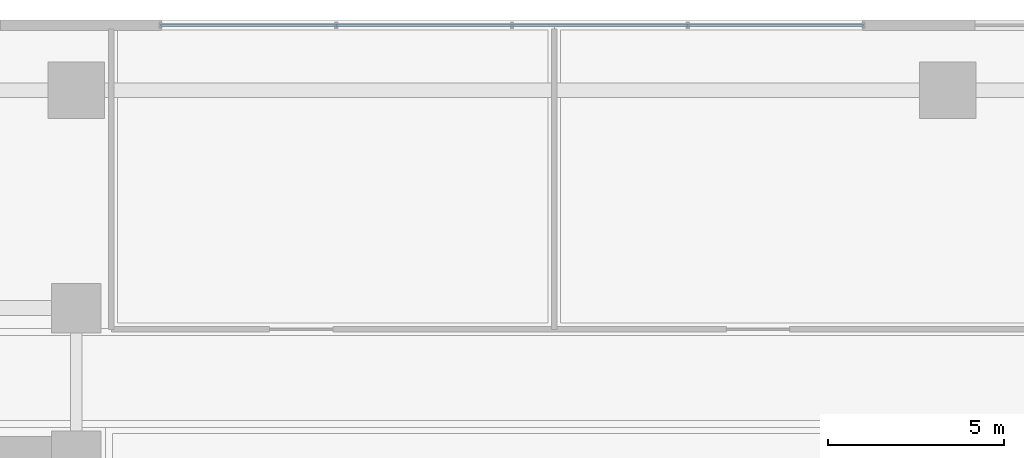
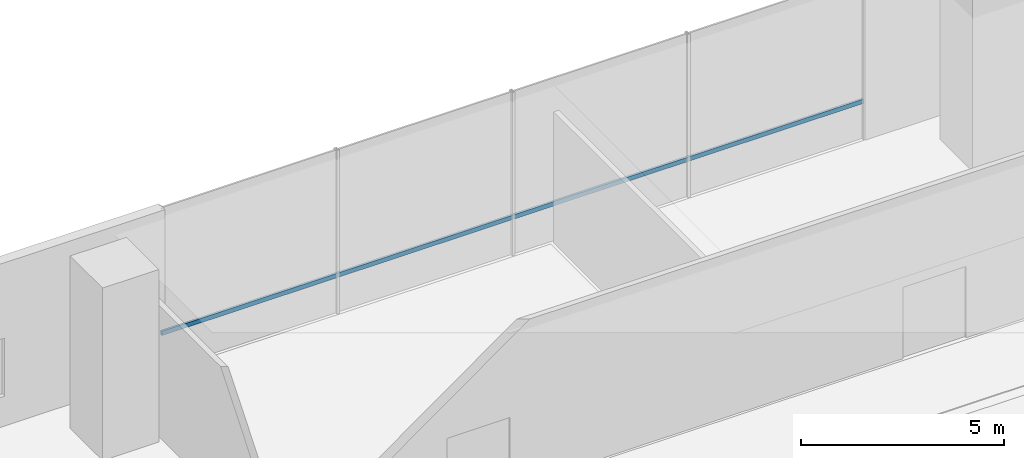
# One storey, part 17 of 39: 1 member, 1 element without a shape of its own.
"""IFC4 building model written with IfcOpenShell, lengths in metres."""

from ifc_helpers import new_model, si_unit, direction, frame, origin, origin_2d, place, context, subcontext, project, spatial, hollow_rectangle, extrude, source, transform, mapped, material, material_profile, profile_set, type_object, element, aggregate, save


model = new_model("IFC4")

# Units and contexts
model_context = context("Model", 3, precision=1e-05, world=origin(), true_north=direction((0.0, 1.0)))
body_context = subcontext(model_context, "Body", "Model", "MODEL_VIEW")
ifc_project = project(units=[si_unit("LENGTHUNIT", "METRE"), si_unit("AREAUNIT", "SQUARE_METRE"), si_unit("VOLUMEUNIT", "CUBIC_METRE"), si_unit("PLANEANGLEUNIT", "RADIAN"), si_unit("MASSUNIT", "GRAM", prefix="KILO")], contexts=[model_context])

# Site, building, storey
site_placement = place(None, origin())
site = spatial("IfcSite", under=ifc_project, at=site_placement, CompositionType="ELEMENT")
building_placement = place(site_placement, origin())
building = spatial("IfcBuilding", under=site, at=building_placement, Name="Valdorenza Pilgrim Sanctuary Tower", CompositionType="ELEMENT")
storey_placement = place(building_placement, frame((0.0, 0.0, 10.39990234375)))
storey = spatial("IfcBuildingStorey", under=building, at=storey_placement, Name="L02", CompositionType="ELEMENT", Elevation=10.39990234375)

# Curtain wall, member
ifc_material_1 = material(Name="Curtain-wall IGU glazing", Category="glass")
curtain_wall_type = type_object("IfcCurtainWallType", Name="CW-SYS-01", PredefinedType="NOTDEFINED", material=ifc_material_1)
curtain_wall_placement = place(storey_placement, origin())
curtain_wall = element("IfcCurtainWall", 1, at=curtain_wall_placement, inside=storey, type_object=curtain_wall_type, Name="L02 Curtain Wall CW-POD-L02-NN", PredefinedType="NOTDEFINED")
ifc_material_2 = material(Name="Anodised aluminium AW-6060", Category="aluminium")
ifc_material_profile = material_profile(ifc_material_2, hollow_rectangle(XDim=0.06494140625, YDim=0.1298828125, WallThickness=0.00341796875, at=origin_2d()), Name="ALU-T 130x65x3.5")
ifc_profile_set = profile_set([ifc_material_profile], Name="Anodised aluminium AW-6060")
member_type = type_object("IfcMemberType", Name="CW-TRN-01", PredefinedType="USERDEFINED", material=ifc_profile_set)
shared_shape = source(origin(), body_context, "Body", "SweptSolid", [
    extrude(hollow_rectangle(XDim=0.06494140625, YDim=0.1298828125, WallThickness=0.00341796875, at=origin_2d()), origin(), (0.0, 0.0, 1.0), 20.0),
])
member_placement = place(storey_placement, frame((-10.0, 22.85009765625, 1.1201171875), z_axis=(1.0, 0.0, 0.0), x_axis=(0.0, 1.0, 0.0)))
member = element("IfcMember", 2, at=member_placement, type_object=member_type, Name="CW-POD-L02-NN Transom 1", ObjectType="TRANSOM", PredefinedType="USERDEFINED", context=body_context, shape_type="MappedRepresentation", body=[
    mapped(shared_shape, transform((0.0, 0.0, 0.0), x_axis=(1.0, 0.0, 0.0), y_axis=(0.0, 1.0, 0.0), z_axis=(0.0, 0.0, 1.0), scale=1.0)),
])
aggregate(curtain_wall, [member])

save(model, "model.ifc")
